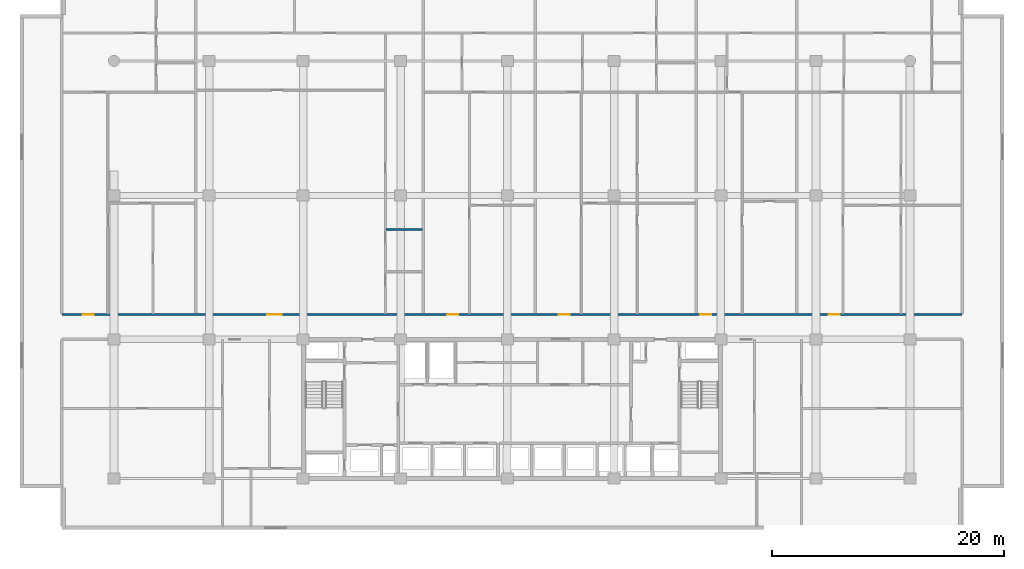
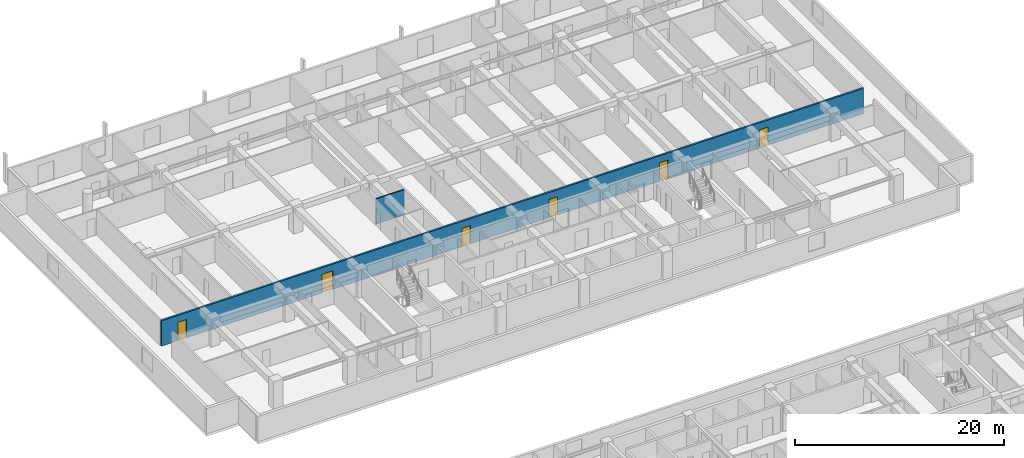
# One storey, part 14 of 24: 6 doors, 2 walls, 6 openings.
"""IFC4 building model written with IfcOpenShell, lengths in metres."""

from ifc_helpers import new_model, si_unit, direction, frame, frame_2d, origin, place, context, subcontext, project, spatial, rectangle, extrude, material, layer, layer_set, type_object, element, fill, save


model = new_model("IFC4")

# Units and contexts
model_context = context("Model", 3, precision=1e-05, world=origin(), true_north=direction((0.0, 1.0)))
body_context = subcontext(model_context, "Body", "Model", "MODEL_VIEW")
ifc_project = project(units=[si_unit("LENGTHUNIT", "METRE"), si_unit("AREAUNIT", "SQUARE_METRE"), si_unit("VOLUMEUNIT", "CUBIC_METRE"), si_unit("PLANEANGLEUNIT", "RADIAN"), si_unit("MASSUNIT", "GRAM", prefix="KILO")], contexts=[model_context])

# Site, building, storey
site_placement = place(None, origin())
site = spatial("IfcSite", under=ifc_project, at=site_placement, CompositionType="ELEMENT")
building_placement = place(site_placement, origin())
building = spatial("IfcBuilding", under=site, at=building_placement, Name="Korimba Cascade Residences", CompositionType="ELEMENT")
storey_placement = place(building_placement, frame((0.0, 0.0, 63.0)))
storey = spatial("IfcBuildingStorey", under=building, at=storey_placement, Name="L17", CompositionType="ELEMENT", Elevation=63.0)

# Wall, openings, doors
ifc_material_1 = material(Name="Precast concrete C40/50", Category="concrete")
ifc_layer_1 = layer(ifc_material_1, 0.199951171875)
ifc_layer_set_1 = layer_set([ifc_layer_1], Name="Precast concrete C40/50")
wall_type_1 = type_object("IfcWallType", Name="WAL-IT-200", PredefinedType="PARTITIONING", material=ifc_layer_set_1)
wall_1_placement = place(storey_placement, frame((55.300048828125, 69.35009765625, 0.0), z_axis=(0.0, 0.0, 1.0), x_axis=(1.0, 0.0, 0.0)))
wall_1 = element("IfcWall", 1, at=wall_1_placement, inside=storey, type_object=wall_type_1, Name="L17 Partition Wall WAL-L17-T1-CORN", PredefinedType="PARTITIONING", context=body_context, shape_type="SweptSolid", body=[
    extrude(rectangle(XDim=77.599853515625, YDim=0.199951171875, at=frame_2d((38.7998046875, 0.0))), origin(), (0.0, 0.0, 1.0), 2.969970703125),
])
opening_1_placement = place(wall_1_placement, frame((1.81005859375, 0.0, 0.0)))
opening_1 = element("IfcOpeningElement", 2, at=opening_1_placement, cuts=wall_1, Name="Opening D-UN1", PredefinedType="OPENING", context=body_context, shape_type="SweptSolid", body=[
    extrude(rectangle(XDim=0.949951171875, YDim=2.14990234375, at=frame_2d((0.47509765625, 1.074951171875))), frame((0.0, 0.10986328125, 0.0), z_axis=(0.0, -1.0, 0.0), x_axis=(1.0, 0.0, 0.0)), (0.0, 0.0, 1.0), 0.219970703125),
])
opening_2_placement = place(wall_1_placement, frame((17.724609375, 0.0, 0.0)))
opening_2 = element("IfcOpeningElement", 3, at=opening_2_placement, cuts=wall_1, Name="Opening D-AM1", PredefinedType="OPENING", context=body_context, shape_type="SweptSolid", body=[
    extrude(rectangle(XDim=1.219970703125, YDim=2.179931640625, at=frame_2d((0.60986328125, 1.08984375))), frame((0.0, 0.10986328125, 0.0), z_axis=(0.0, -1.0, 0.0), x_axis=(1.0, 0.0, 0.0)), (0.0, 0.0, 1.0), 0.219970703125),
])
opening_3_placement = place(wall_1_placement, frame((33.209716796875, 0.0, 0.0)))
opening_3 = element("IfcOpeningElement", 4, at=opening_3_placement, cuts=wall_1, Name="Opening D-UN1", PredefinedType="OPENING", context=body_context, shape_type="SweptSolid", body=[
    extrude(rectangle(XDim=0.949951171875, YDim=2.14990234375, at=frame_2d((0.47509765625, 1.074951171875))), frame((0.0, 0.10986328125, 0.0), z_axis=(0.0, -1.0, 0.0), x_axis=(1.0, 0.0, 0.0)), (0.0, 0.0, 1.0), 0.219970703125),
])
opening_4_placement = place(wall_1_placement, frame((42.84814453125, 0.0, 0.0)))
opening_4 = element("IfcOpeningElement", 5, at=opening_4_placement, cuts=wall_1, Name="Opening D-UN1", PredefinedType="OPENING", context=body_context, shape_type="SweptSolid", body=[
    extrude(rectangle(XDim=0.949951171875, YDim=2.14990234375, at=frame_2d((0.47509765625, 1.074951171875))), frame((0.0, 0.10986328125, 0.0), z_axis=(0.0, -1.0, 0.0), x_axis=(1.0, 0.0, 0.0)), (0.0, 0.0, 1.0), 0.219970703125),
])
opening_5_placement = place(wall_1_placement, frame((55.035400390625, 0.0, 0.0)))
opening_5 = element("IfcOpeningElement", 6, at=opening_5_placement, cuts=wall_1, Name="Opening D-UN1", PredefinedType="OPENING", context=body_context, shape_type="SweptSolid", body=[
    extrude(rectangle(XDim=0.949951171875, YDim=2.14990234375, at=frame_2d((0.47509765625, 1.074951171875))), frame((0.0, 0.10986328125, 0.0), z_axis=(0.0, -1.0, 0.0), x_axis=(1.0, 0.0, 0.0)), (0.0, 0.0, 1.0), 0.219970703125),
])
opening_6_placement = place(wall_1_placement, frame((66.115478515625, 0.0, 0.0)))
opening_6 = element("IfcOpeningElement", 7, at=opening_6_placement, cuts=wall_1, Name="Opening D-UN1", PredefinedType="OPENING", context=body_context, shape_type="SweptSolid", body=[
    extrude(rectangle(XDim=0.949951171875, YDim=2.14990234375, at=frame_2d((0.47509765625, 1.074951171875))), frame((0.0, 0.10986328125, 0.0), z_axis=(0.0, -1.0, 0.0), x_axis=(1.0, 0.0, 0.0)), (0.0, 0.0, 1.0), 0.219970703125),
])
ifc_material_2 = material(Name="Fire-Rated Glazed Timber Suite Door", Category="wood")
door_type_1 = type_object("IfcDoorType", Name="DR-FD60-1200", OperationType="NOTDEFINED", PredefinedType="DOOR", material=ifc_material_2)
door_1_placement = place(opening_2_placement, origin())
door_1 = element("IfcDoor", 8, at=door_1_placement, inside=storey, type_object=door_type_1, Name="L17-T1-U02 Health Consultation Clinic Door", OperationType="SINGLE_SWING_RIGHT", OverallHeight=2.179931640625, OverallWidth=1.219970703125, PredefinedType="DOOR", context=body_context, shape_type="SweptSolid", body=[
    extrude(rectangle(XDim=1.219970703125, YDim=2.179931640625, at=frame_2d((0.60986328125, 1.08984375))), frame((0.0, 0.02490234375, 0.0), z_axis=(0.0, -1.0, 0.0), x_axis=(1.0, 0.0, 0.0)), (0.0, 0.0, 1.0), 0.050048828125),
])
fill(opening_2, door_1)
ifc_material_3 = material(Name="Fire-Rated Hardwood Apartment Entrance Door", Category="wood")
door_type_2 = type_object("IfcDoorType", Name="DR-FD60-950", OperationType="NOTDEFINED", PredefinedType="DOOR", material=ifc_material_3)
door_2_placement = place(opening_1_placement, origin())
door_2 = element("IfcDoor", 9, at=door_2_placement, inside=storey, type_object=door_type_2, Name="Unit L17-T1-U01 Entrance Door", OperationType="SINGLE_SWING_LEFT", OverallHeight=2.14990234375, OverallWidth=0.949951171875, PredefinedType="DOOR", context=body_context, shape_type="SweptSolid", body=[
    extrude(rectangle(XDim=0.949951171875, YDim=2.14990234375, at=frame_2d((0.47509765625, 1.074951171875))), frame((0.0, 0.02490234375, 0.0), z_axis=(0.0, -1.0, 0.0), x_axis=(1.0, 0.0, 0.0)), (0.0, 0.0, 1.0), 0.050048828125),
])
fill(opening_1, door_2)
door_3_placement = place(opening_3_placement, origin())
door_3 = element("IfcDoor", 10, at=door_3_placement, inside=storey, type_object=door_type_2, Name="Unit L17-T1-U03 Entrance Door", OperationType="SINGLE_SWING_LEFT", OverallHeight=2.14990234375, OverallWidth=0.949951171875, PredefinedType="DOOR", context=body_context, shape_type="SweptSolid", body=[
    extrude(rectangle(XDim=0.949951171875, YDim=2.14990234375, at=frame_2d((0.47509765625, 1.074951171875))), frame((0.0, 0.02490234375, 0.0), z_axis=(0.0, -1.0, 0.0), x_axis=(1.0, 0.0, 0.0)), (0.0, 0.0, 1.0), 0.050048828125),
])
fill(opening_3, door_3)
door_4_placement = place(opening_4_placement, origin())
door_4 = element("IfcDoor", 11, at=door_4_placement, inside=storey, type_object=door_type_2, Name="Unit L17-T1-U04 Entrance Door", OperationType="SINGLE_SWING_RIGHT", OverallHeight=2.14990234375, OverallWidth=0.949951171875, PredefinedType="DOOR", context=body_context, shape_type="SweptSolid", body=[
    extrude(rectangle(XDim=0.949951171875, YDim=2.14990234375, at=frame_2d((0.47509765625, 1.074951171875))), frame((0.0, 0.02490234375, 0.0), z_axis=(0.0, -1.0, 0.0), x_axis=(1.0, 0.0, 0.0)), (0.0, 0.0, 1.0), 0.050048828125),
])
fill(opening_4, door_4)
door_5_placement = place(opening_5_placement, origin())
door_5 = element("IfcDoor", 12, at=door_5_placement, inside=storey, type_object=door_type_2, Name="Unit L17-T1-U05 Entrance Door", OperationType="SINGLE_SWING_LEFT", OverallHeight=2.14990234375, OverallWidth=0.949951171875, PredefinedType="DOOR", context=body_context, shape_type="SweptSolid", body=[
    extrude(rectangle(XDim=0.949951171875, YDim=2.14990234375, at=frame_2d((0.47509765625, 1.074951171875))), frame((0.0, 0.02490234375, 0.0), z_axis=(0.0, -1.0, 0.0), x_axis=(1.0, 0.0, 0.0)), (0.0, 0.0, 1.0), 0.050048828125),
])
fill(opening_5, door_5)
door_6_placement = place(opening_6_placement, origin())
door_6 = element("IfcDoor", 13, at=door_6_placement, inside=storey, type_object=door_type_2, Name="Unit L17-T1-U06 Entrance Door", OperationType="SINGLE_SWING_RIGHT", OverallHeight=2.14990234375, OverallWidth=0.949951171875, PredefinedType="DOOR", context=body_context, shape_type="SweptSolid", body=[
    extrude(rectangle(XDim=0.949951171875, YDim=2.14990234375, at=frame_2d((0.47509765625, 1.074951171875))), frame((0.0, 0.02490234375, 0.0), z_axis=(0.0, -1.0, 0.0), x_axis=(1.0, 0.0, 0.0)), (0.0, 0.0, 1.0), 0.050048828125),
])
fill(opening_6, door_6)

# Wall
ifc_material_4 = material(Name="Insulated Acoustic Stud Partition", Category="gypsum")
ifc_layer_2 = layer(ifc_material_4, 0.14990234375)
ifc_layer_set_2 = layer_set([ifc_layer_2], Name="Insulated Acoustic Stud Partition")
wall_type_2 = type_object("IfcWallType", Name="WAL-PART-150", PredefinedType="PARTITIONING", material=ifc_layer_set_2)
wall_2_placement = place(storey_placement, frame((83.2548828125, 76.669921875, 0.0), z_axis=(0.0, 0.0, 1.0), x_axis=(1.0, 0.0, 0.0)))
element("IfcWall", 14, at=wall_2_placement, inside=storey, type_object=wall_type_2, Name="L17 Partition Wall WAL-L17-T1-U02-WCH2", PredefinedType="PARTITIONING", context=body_context, shape_type="SweptSolid", body=[
    extrude(rectangle(XDim=3.1298828125, YDim=0.14990234375, at=frame_2d((1.56494140625, 0.0))), origin(), (0.0, 0.0, 1.0), 2.969970703125),
])

save(model, "model.ifc")
